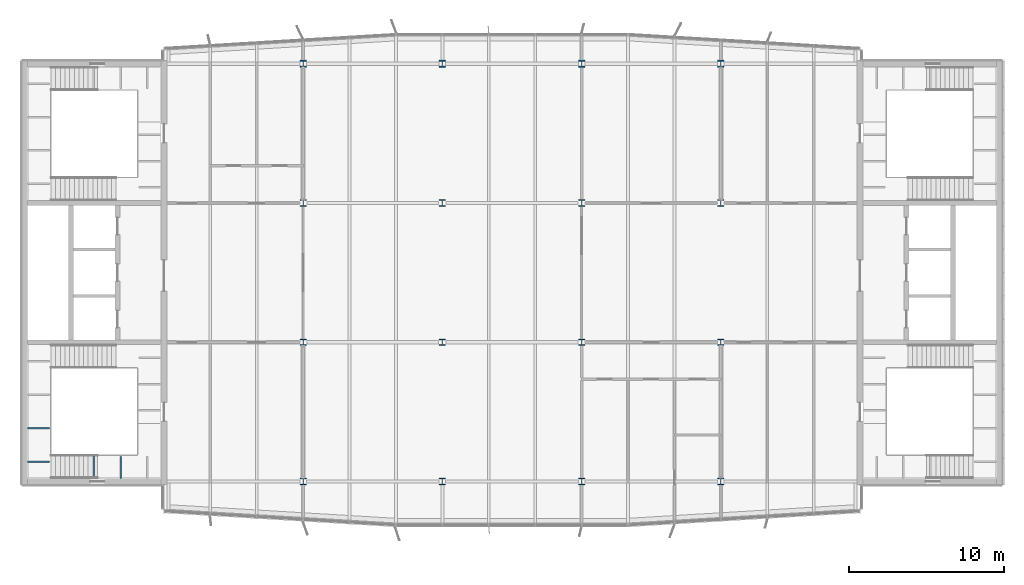
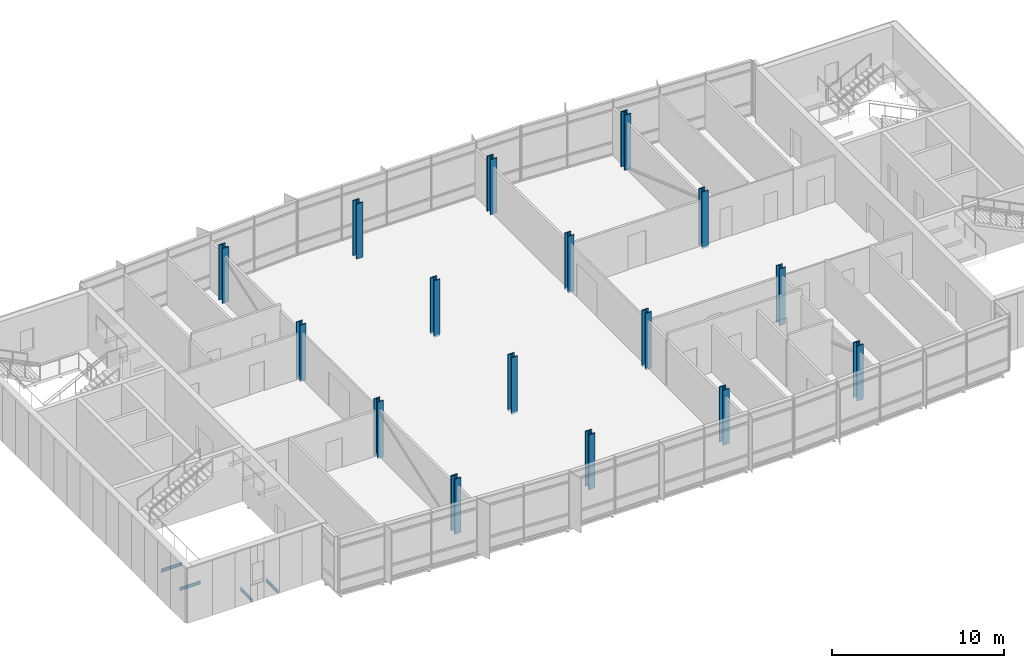
# One storey, part 1 of 21: 16 columns, 4 beams.
"""IFC4 building model written with IfcOpenShell, lengths in metres."""

from ifc_helpers import new_model, si_unit, direction, frame, origin, origin_2d, place, context, subcontext, project, spatial, i_section, extrude, material, material_profile, profile_set, type_object, element, save


model = new_model("IFC4")

# Units and contexts
model_context = context("Model", 3, precision=1e-05, world=origin(), true_north=direction((0.0, 1.0)))
body_context = subcontext(model_context, "Body", "Model", "MODEL_VIEW")
ifc_project = project(units=[si_unit("LENGTHUNIT", "METRE"), si_unit("AREAUNIT", "SQUARE_METRE"), si_unit("VOLUMEUNIT", "CUBIC_METRE"), si_unit("PLANEANGLEUNIT", "RADIAN"), si_unit("MASSUNIT", "GRAM", prefix="KILO")], contexts=[model_context])

# Site, building, storey
site_placement = place(None, origin())
site = spatial("IfcSite", under=ifc_project, at=site_placement, CompositionType="ELEMENT")
building_placement = place(site_placement, origin())
building = spatial("IfcBuilding", under=site, at=building_placement, Name="Azimuth Sports and Learning Centre", CompositionType="ELEMENT")
storey_placement = place(building_placement, frame((0.0, 0.0, 32.39990234375)))
storey = spatial("IfcBuildingStorey", under=building, at=storey_placement, Name="L06", CompositionType="ELEMENT", Elevation=32.39990234375)

# Columns
ifc_material_1 = material(Name="Steel S460", Category="steel")
ifc_material_profile_1 = material_profile(ifc_material_1, i_section(OverallWidth=0.412109375, OverallDepth=0.43505859375, WebThickness=0.035888671875, FlangeThickness=0.057373046875, FilletRadius=0.014892578125, at=origin_2d()), Name="HD 400x463")
ifc_profile_set_1 = profile_set([ifc_material_profile_1], Name="Steel S460")
column_type_1 = type_object("IfcColumnType", Name="Column HD 400x463", PredefinedType="COLUMN", material=ifc_profile_set_1)
for number, where, z_axis, x_axis, name in (
    (1, (72.0, 99.0, -0.1298828125), (0.0, 0.0, 1.0), (1.0, 0.0, 0.0), "Tower column 9M L06"),
    (2, (81.0, 99.0, -0.1298828125), (0.0, 0.0, 1.0), (1.0, 0.0, 0.0), "Tower column 10M L06"),
    (3, (90.0, 99.0, -0.1298828125), (0.0, 0.0, 1.0), (1.0, 0.0, 0.0), "Tower column 11M L06"),
    (4, (99.0, 99.0, -0.1298828125), (0.0, 0.0, 1.0), (1.0, 0.0, 0.0), "Tower column 12M L06"),
    (5, (72.0, 108.0, -0.1298828125), (0.0, 0.0, 1.0), (1.0, 0.0, 0.0), "Tower column 9N L06"),
    (6, (81.0, 108.0, -0.1298828125), (0.0, 0.0, 1.0), (1.0, 0.0, 0.0), "Tower column 10N L06"),
    (7, (90.0, 108.0, -0.1298828125), (0.0, 0.0, 1.0), (1.0, 0.0, 0.0), "Tower column 11N L06"),
    (8, (99.0, 108.0, -0.1298828125), (0.0, 0.0, 1.0), (1.0, 0.0, 0.0), "Tower column 12N L06"),
):
    element("IfcColumn", number, at=place(storey_placement, frame(where, z_axis=z_axis, x_axis=x_axis)), inside=storey, type_object=column_type_1, Name=name, PredefinedType="COLUMN", context=body_context, shape_type="SweptSolid", body=[
        extrude(i_section(OverallWidth=0.412109375, OverallDepth=0.43505859375, WebThickness=0.035888671875, FlangeThickness=0.057373046875, FilletRadius=0.014892578125, at=origin_2d()), origin(), (0.0, 0.0, 1.0), 4.030029296875),
    ])
ifc_material_2 = material(Name="Steel S460", Category="steel")
ifc_material_profile_2 = material_profile(ifc_material_2, i_section(OverallWidth=0.424072265625, OverallDepth=0.47412109375, WebThickness=0.047607421875, FlangeThickness=0.0771484375, FilletRadius=0.014892578125, at=origin_2d()), Name="HD 400x634")
ifc_profile_set_2 = profile_set([ifc_material_profile_2], Name="Steel S460")
column_type_2 = type_object("IfcColumnType", Name="Column HD 400x634", PredefinedType="COLUMN", material=ifc_profile_set_2)
for number, where, z_axis, x_axis, name in (
    (9, (72.0, 90.0, 0.0), (0.0, 0.0, 1.0), (1.0, 0.0, 0.0), "Hall column 9L L06"),
    (10, (81.0, 90.0, 0.0), (0.0, 0.0, 1.0), (1.0, 0.0, 0.0), "Hall column 10L L06"),
    (11, (90.0, 90.0, 0.0), (0.0, 0.0, 1.0), (1.0, 0.0, 0.0), "Hall column 11L L06"),
    (12, (99.0, 90.0, 0.0), (0.0, 0.0, 1.0), (1.0, 0.0, 0.0), "Hall column 12L L06"),
    (13, (72.0, 117.0, 0.0), (0.0, 0.0, 1.0), (1.0, 0.0, 0.0), "Hall column 9P L06"),
    (14, (81.0, 117.0, 0.0), (0.0, 0.0, 1.0), (1.0, 0.0, 0.0), "Hall column 10P L06"),
    (15, (90.0, 117.0, 0.0), (0.0, 0.0, 1.0), (1.0, 0.0, 0.0), "Hall column 11P L06"),
    (16, (99.0, 117.0, 0.0), (0.0, 0.0, 1.0), (1.0, 0.0, 0.0), "Hall column 12P L06"),
):
    element("IfcColumn", number, at=place(storey_placement, frame(where, z_axis=z_axis, x_axis=x_axis)), inside=storey, type_object=column_type_2, Name=name, PredefinedType="COLUMN", context=body_context, shape_type="SweptSolid", body=[
        extrude(i_section(OverallWidth=0.424072265625, OverallDepth=0.47412109375, WebThickness=0.047607421875, FlangeThickness=0.0771484375, FilletRadius=0.014892578125, at=origin_2d()), origin(), (0.0, 0.0, 1.0), 3.900146484375),
    ])

# Beams
ifc_material_3 = material(Name="Steel S355", Category="steel")
ifc_material_profile_3 = material_profile(ifc_material_3, i_section(OverallWidth=0.10009765625, OverallDepth=0.199951171875, WebThickness=0.005615234375, FlangeThickness=0.008544921875, FilletRadius=0.011962890625, at=origin_2d()), Name="IPE 200")
ifc_profile_set_3 = profile_set([ifc_material_profile_3], Name="Steel S355")
beam_type = type_object("IfcBeamType", Name="Beam IPE 200", PredefinedType="BEAM", material=ifc_profile_set_3)
for number, where, z_axis, x_axis, name in (
    (17, (58.473388671875, 90.199951171875, -0.2998046875), (0.0, 1.0, 0.0), (-1.0, 0.0, 0.0), "Landing bracket W1 L06 59"),
    (18, (60.199951171875, 90.199951171875, -0.2998046875), (0.0, 1.0, 0.0), (-1.0, 0.0, 0.0), "Landing bracket W1 L06 60"),
    (19, (54.199951171875, 91.288818359375, 1.35009765625), (1.0, 0.0, 0.0), (0.0, 1.0, 0.0), "Landing bracket W1 L06 62"),
    (20, (54.199951171875, 93.4462890625, 1.35009765625), (1.0, 0.0, 0.0), (0.0, 1.0, 0.0), "Landing bracket W1 L06 63"),
):
    element("IfcBeam", number, at=place(storey_placement, frame(where, z_axis=z_axis, x_axis=x_axis)), inside=storey, type_object=beam_type, Name=name, PredefinedType="BEAM", context=body_context, shape_type="SweptSolid", body=[
        extrude(i_section(OverallWidth=0.10009765625, OverallDepth=0.199951171875, WebThickness=0.005615234375, FlangeThickness=0.008544921875, FilletRadius=0.011962890625, at=origin_2d()), origin(), (0.0, 0.0, 1.0), 1.41015625),
    ])

save(model, "model.ifc")
